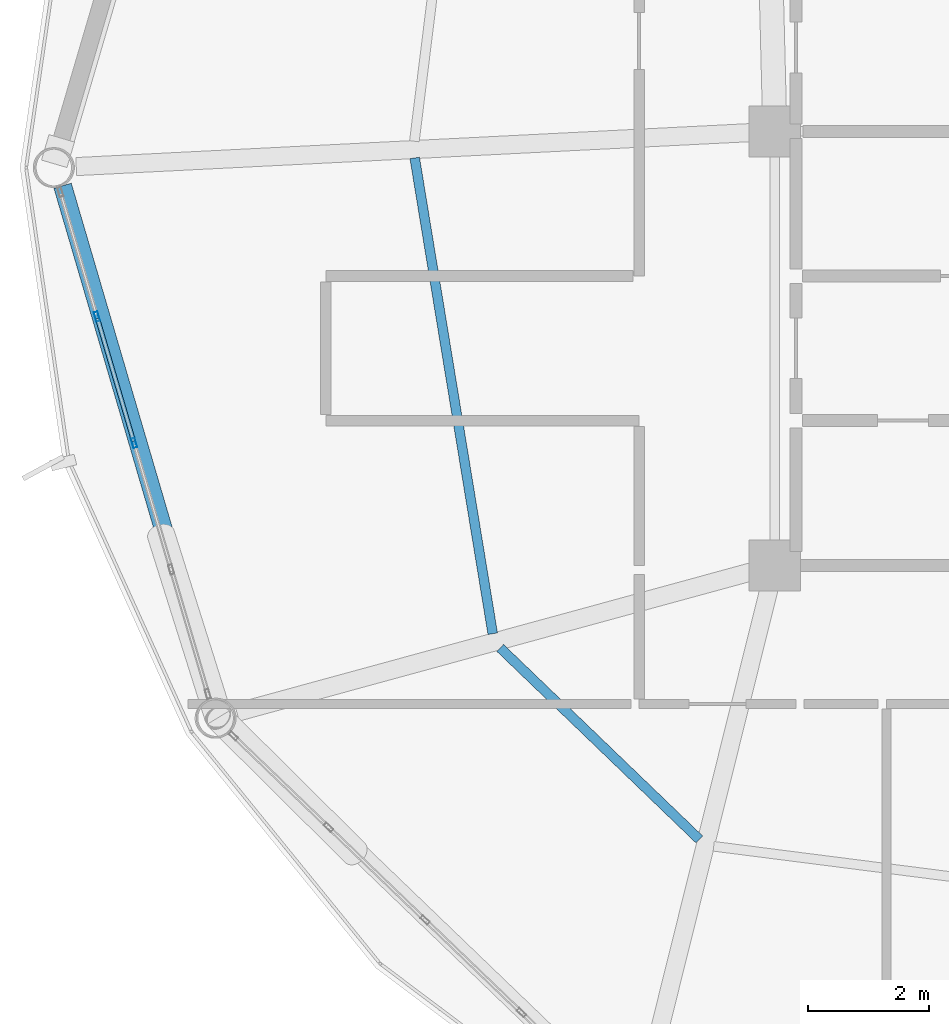
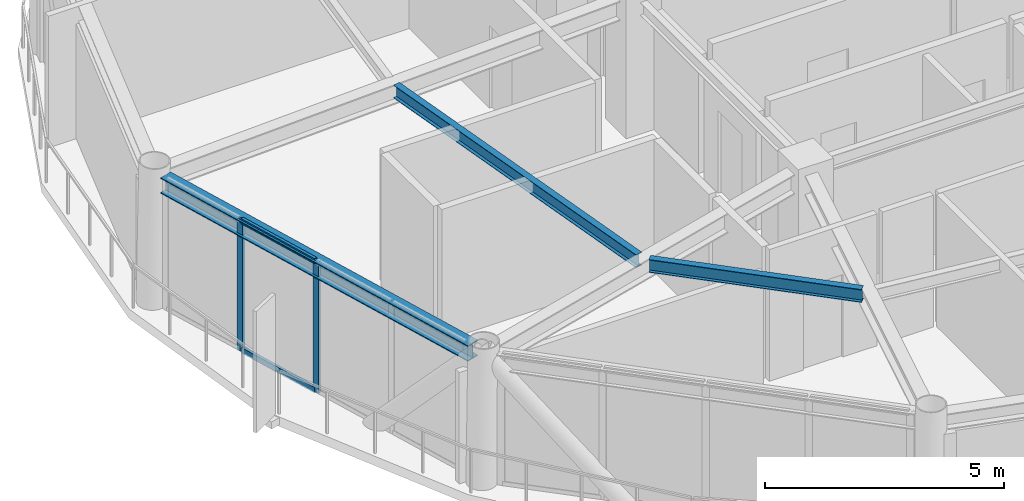
# One storey, part 5 of 28: 4 members, 3 beams, 1 element without a shape of its own.
"""IFC4 building model written with IfcOpenShell, lengths in metres."""

from ifc_helpers import new_model, si_unit, direction, frame, origin, origin_2d, place, context, subcontext, project, spatial, hollow_rectangle, i_section, extrude, material, layer, layer_set, material_profile, profile_set, type_object, element, aggregate, save


model = new_model("IFC4")

# Units and contexts
model_context = context("Model", 3, precision=1e-05, world=origin(), true_north=direction((0.0, 1.0)))
body_context = subcontext(model_context, "Body", "Model", "MODEL_VIEW")
ifc_project = project(units=[si_unit("LENGTHUNIT", "METRE"), si_unit("AREAUNIT", "SQUARE_METRE"), si_unit("VOLUMEUNIT", "CUBIC_METRE"), si_unit("PLANEANGLEUNIT", "RADIAN"), si_unit("MASSUNIT", "GRAM", prefix="KILO")], contexts=[model_context])

# Site, building, storey
site_placement = place(None, origin())
site = spatial("IfcSite", under=ifc_project, at=site_placement, CompositionType="ELEMENT")
building_placement = place(site_placement, origin())
building = spatial("IfcBuilding", under=site, at=building_placement, Name="Varnakorn Sky Granary", CompositionType="ELEMENT")
storey_placement = place(building_placement, frame((0.0, 0.0, 211.199951171875)))
storey = spatial("IfcBuildingStorey", under=building, at=storey_placement, Name="L53", CompositionType="ELEMENT", Elevation=211.199951171875)

# Beams
ifc_material_1 = material(Name="Steel S355JR", Category="steel")
ifc_material_profile_1 = material_profile(ifc_material_1, i_section(OverallWidth=0.159912109375, OverallDepth=0.330078125, WebThickness=0.007568359375, FlangeThickness=0.011474609375, at=origin_2d()), Name="IPE 330")
ifc_profile_set_1 = profile_set([ifc_material_profile_1], Name="Steel S355JR")
beam_type_1 = type_object("IfcBeamType", Name="BM-SEC-Z4", PredefinedType="BEAM", material=ifc_profile_set_1)
beam_1_placement = place(storey_placement, frame((-8.32470703125, 0.15966796875, 3.195068359375), z_axis=(0.16181985318, -0.986820315517, 0.0), x_axis=(0.986820315517, 0.16181985318, 0.0)))
element("IfcBeam", 1, at=beam_1_placement, inside=storey, type_object=beam_type_1, Name="Secondary Floor Chord Beam MSB07 L53", PredefinedType="BEAM", context=body_context, shape_type="SweptSolid", body=[
    extrude(i_section(OverallWidth=0.159912109375, OverallDepth=0.330078125, WebThickness=0.007568359375, FlangeThickness=0.011474609375, at=origin_2d()), origin(), (0.0, 0.0, 1.0), 7.999267578125),
])
beam_2_placement = place(storey_placement, frame((-6.90673828125, -7.969482421875, 3.195068359375), z_axis=(0.720746030537, -0.693199220617, 0.0), x_axis=(0.693199220617, 0.720746030537, 0.0)))
element("IfcBeam", 2, at=beam_2_placement, inside=storey, type_object=beam_type_1, Name="Secondary Floor Chord Beam MSB08 L53", PredefinedType="BEAM", context=body_context, shape_type="SweptSolid", body=[
    extrude(i_section(OverallWidth=0.159912109375, OverallDepth=0.330078125, WebThickness=0.007568359375, FlangeThickness=0.011474609375, at=origin_2d()), origin(), (0.0, 0.0, 1.0), 4.58203125),
])
ifc_material_profile_2 = material_profile(ifc_material_1, i_section(OverallWidth=0.300048828125, OverallDepth=0.39990234375, WebThickness=0.013427734375, FlangeThickness=0.02392578125, at=origin_2d()), Name="HE 400 B")
ifc_profile_set_2 = profile_set([ifc_material_profile_2], Name="Steel S355JR")
beam_type_2 = type_object("IfcBeamType", Name="BM-SPD-Z4", PredefinedType="SPANDREL", material=ifc_profile_set_2)
beam_3_placement = place(storey_placement, frame((-14.166259765625, -0.30224609375, 3.16015625), z_axis=(0.281566098607, -0.959541834479, 0.0), x_axis=(0.959541834479, 0.281566098607, 0.0)))
element("IfcBeam", 3, at=beam_3_placement, inside=storey, type_object=beam_type_2, Name="Perimeter Spandrel Ring Beam RB07 L53", PredefinedType="SPANDREL", context=body_context, shape_type="SweptSolid", body=[
    extrude(i_section(OverallWidth=0.300048828125, OverallDepth=0.39990234375, WebThickness=0.013427734375, FlangeThickness=0.02392578125, at=origin_2d()), origin(), (0.0, 0.0, 1.0), 8.87548828125),
])

# Curtain wall, members
ifc_material_2 = material(Name="Anodised Bronze Aluminium Alloy 6063-T6", Category="aluminium")
ifc_layer = layer(ifc_material_2, 0.169921875, Name="Anodised Bronze Aluminium Alloy 6063-T6")
ifc_layer_set = layer_set([ifc_layer], Name="Anodised Bronze Aluminium Alloy 6063-T6")
curtain_wall_type = type_object("IfcCurtainWallType", Name="CW-LAB-1", PredefinedType="USERDEFINED", material=ifc_layer_set)
curtain_wall_placement = place(storey_placement, origin())
curtain_wall = element("IfcCurtainWall", 4, at=curtain_wall_placement, inside=storey, type_object=curtain_wall_type, Name="Unitised Curtain Wall CW5 CW-L53-B07", ObjectType="CURTAIN WALL", PredefinedType="USERDEFINED")
ifc_material_profile_3 = material_profile(ifc_material_2, hollow_rectangle(XDim=0.06494140625, YDim=0.159912109375, WallThickness=0.00341796875, at=origin_2d()), Name="ALU MULL 65x160")
ifc_profile_set_3 = profile_set([ifc_material_profile_3], Name="Anodised Bronze Aluminium Alloy 6063-T6")
member_type_1 = type_object("IfcMemberType", Name="CW-LAB-1-MULL", PredefinedType="MULLION", material=ifc_profile_set_3)
member_1_placement = place(storey_placement, frame((-12.980224609375, -4.569091796875, 0.0), z_axis=(0.0, 0.0, 1.0), x_axis=(-0.959425208919, -0.28196323961, 0.0)))
member_1 = element("IfcMember", 5, at=member_1_placement, type_object=member_type_1, Name="CW5 mullion 3", PredefinedType="MULLION", context=body_context, shape_type="SweptSolid", body=[
    extrude(hollow_rectangle(XDim=0.06494140625, YDim=0.159912109375, WallThickness=0.00341796875, at=origin_2d()), origin(), (0.0, 0.0, 1.0), 3.360107421875),
])
member_2_placement = place(storey_placement, frame((-13.5966796875, -2.4716796875, 0.0), z_axis=(0.0, 0.0, 1.0), x_axis=(-0.959425208919, -0.28196323961, 0.0)))
member_2 = element("IfcMember", 6, at=member_2_placement, type_object=member_type_1, Name="CW5 mullion 4", PredefinedType="MULLION", context=body_context, shape_type="SweptSolid", body=[
    extrude(hollow_rectangle(XDim=0.06494140625, YDim=0.159912109375, WallThickness=0.00341796875, at=origin_2d()), origin(), (0.0, 0.0, 1.0), 3.360107421875),
])
ifc_material_profile_4 = material_profile(ifc_material_2, hollow_rectangle(XDim=0.070068359375, YDim=0.139892578125, WallThickness=0.00341796875, at=origin_2d()), Name="ALU TRAN 70x140")
ifc_profile_set_4 = profile_set([ifc_material_profile_4], Name="Anodised Bronze Aluminium Alloy 6063-T6")
member_type_2 = type_object("IfcMemberType", Name="CW-LAB-1-TRAN", PredefinedType="USERDEFINED", material=ifc_profile_set_4)
member_3_placement = place(storey_placement, frame((-12.9892578125, -4.537841796875, 0.03515625), z_axis=(-0.281979383128, 0.95942046439, 0.0), x_axis=(-0.95942046439, -0.281979383128, 0.0)))
member_3 = element("IfcMember", 7, at=member_3_placement, type_object=member_type_2, Name="CW5 transom 3.1", ObjectType="TRANSOM", PredefinedType="USERDEFINED", context=body_context, shape_type="SweptSolid", body=[
    extrude(hollow_rectangle(XDim=0.070068359375, YDim=0.139892578125, WallThickness=0.00341796875, at=origin_2d()), origin(), (0.0, 0.0, 1.0), 2.121337890625),
])
member_4_placement = place(storey_placement, frame((-12.9892578125, -4.537841796875, 3.324951171875), z_axis=(-0.281979383128, 0.95942046439, 0.0), x_axis=(-0.95942046439, -0.281979383128, 0.0)))
member_4 = element("IfcMember", 8, at=member_4_placement, type_object=member_type_2, Name="CW5 transom 3.2", ObjectType="TRANSOM", PredefinedType="USERDEFINED", context=body_context, shape_type="SweptSolid", body=[
    extrude(hollow_rectangle(XDim=0.070068359375, YDim=0.139892578125, WallThickness=0.00341796875, at=origin_2d()), origin(), (0.0, 0.0, 1.0), 2.121337890625),
])
aggregate(curtain_wall, [member_1, member_2, member_3, member_4])

save(model, "model.ifc")
